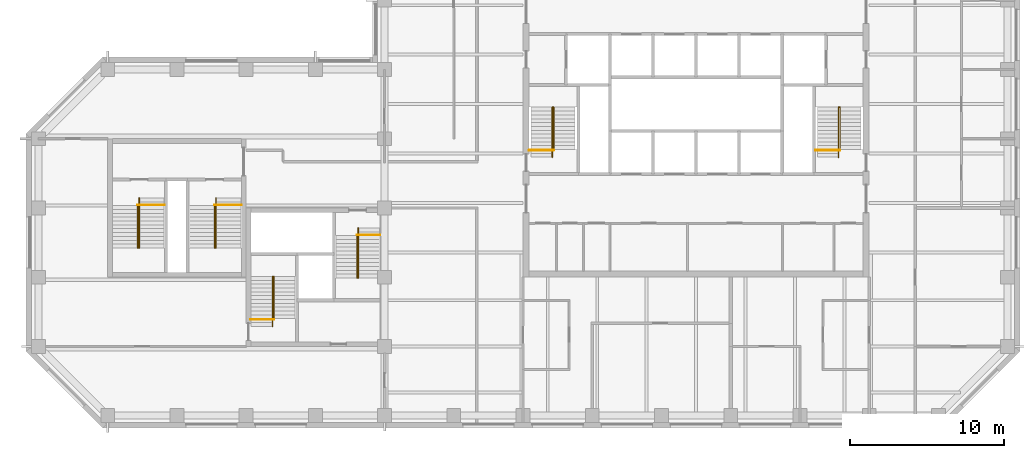
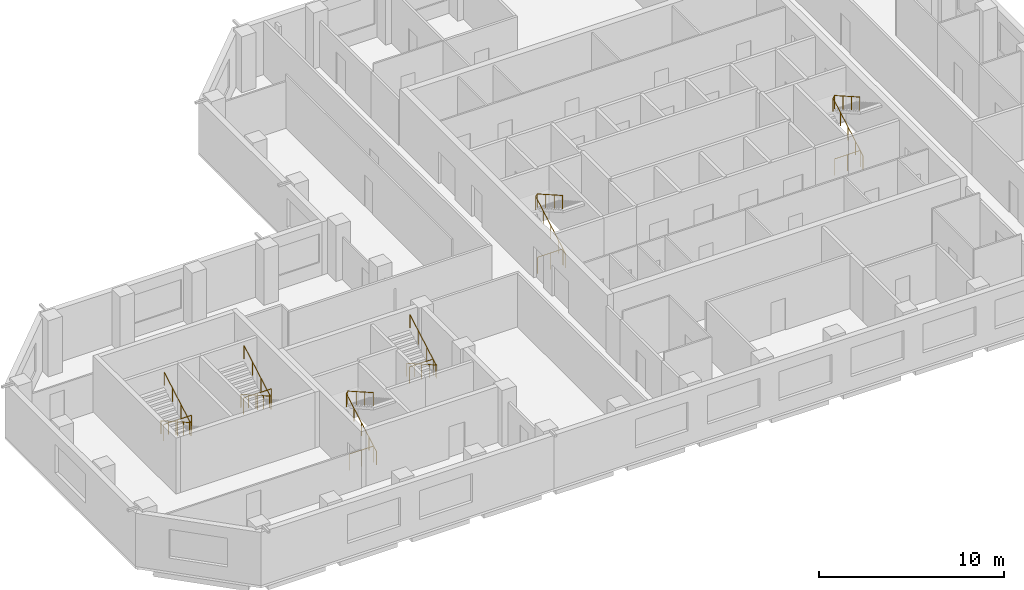
# One storey, part 9 of 9: 12 railings.
"""IFC4 building model written with IfcOpenShell, lengths in metres."""

import ifcopenshell
import ifcopenshell.guid

model = None  # the IFC model being written
_history = None  # IfcOwnerHistory: only IFC2X3 demands one
_inside = {}  # id of a spatial element -> (the spatial element, [elements in it])
_under = {}  # id of a project, library or spatial element -> (it, [spatial elements below it])
_declared = {}  # id of a project -> (the project, [libraries it declares])
_typed = {}  # id of a type object -> (the type object, [elements of that type])
_made_of = {}  # id of a material, layer set ... -> (it, [elements and type objects made of it])


def new_model(schema):
    """Start an empty IFC model of exactly this schema.

    Asked for "IFC4X3", IfcOpenShell would pick the latest addendum, in which some entities
    have other attributes; the version numbers below select the first issue.
    IFC2X3 requires an IfcOwnerHistory on every rooted entity: one is made here for all.
    """
    global model, _history
    if schema == "IFC4X3":
        model = ifcopenshell.file(schema_version=(4, 3, 0, 0))
    else:
        model = ifcopenshell.file(schema=schema)
    _inside.clear()
    _under.clear()
    _declared.clear()
    _typed.clear()
    _made_of.clear()
    _history = None
    if model.schema == "IFC2X3":
        org = make("IfcOrganization", Name="unknown")
        user = make(
            "IfcPersonAndOrganization",
            ThePerson=make("IfcPerson", FamilyName="unknown"),
            TheOrganization=org,
        )
        app = make(
            "IfcApplication",
            ApplicationDeveloper=org,
            Version="unknown",
            ApplicationFullName="unknown",
            ApplicationIdentifier="unknown",
        )
        _history = make(
            "IfcOwnerHistory",
            OwningUser=user,
            OwningApplication=app,
            ChangeAction="ADDED",
            CreationDate=0,
        )
    return model


def make(cls, **values):
    """One entity of the class cls with the attributes given. An attribute that is None is left unset."""
    return model.create_entity(
        cls, **{name: value for name, value in values.items() if value is not None}
    )


def rooted(cls, **values):
    """An entity with a GlobalId (a new one), such as an element, a storey or a relation."""
    return make(cls, GlobalId=ifcopenshell.guid.new(), OwnerHistory=_history, **values)


def si_unit(unit_type, name, prefix=None):
    """IfcSIUnit, for example si_unit("LENGTHUNIT", "METRE", prefix="MILLI")."""
    return make("IfcSIUnit", UnitType=unit_type, Prefix=prefix, Name=name)


def assignment(units):
    """IfcUnitAssignment: the units of a project."""
    return None if units is None else make("IfcUnitAssignment", Units=units)


def point(xyz):
    """IfcCartesianPoint."""
    return None if xyz is None else make("IfcCartesianPoint", Coordinates=xyz)


def direction(xyz):
    """IfcDirection."""
    return None if xyz is None else make("IfcDirection", DirectionRatios=xyz)


def frame(location, z_axis=None, x_axis=None):
    """IfcAxis2Placement3D, a coordinate frame: its origin and axes. An axis left out is left unset."""
    return make(
        "IfcAxis2Placement3D",
        Location=point(location),
        Axis=direction(z_axis),
        RefDirection=direction(x_axis),
    )


def frame_2d(location, x_axis=None):
    """IfcAxis2Placement2D, a coordinate frame in the plane: its origin and x axis."""
    return make(
        "IfcAxis2Placement2D", Location=point(location), RefDirection=direction(x_axis)
    )


def origin():
    """The frame at (0, 0, 0) with its axes left unset."""
    return frame((0.0, 0.0, 0.0))


def origin_2d():
    """The frame at (0, 0) in the plane with its x axis left unset."""
    return frame_2d((0.0, 0.0))


def place(relative_to, where):
    """IfcLocalPlacement: puts the frame where relative to a parent placement (None: the world)."""
    return make(
        "IfcLocalPlacement", PlacementRelTo=relative_to, RelativePlacement=where
    )


def context(
    kind, dimensions, precision=None, world=None, true_north=None, identifier=None
):
    """IfcGeometricRepresentationContext, for example the 3D "Model" context."""
    return make(
        "IfcGeometricRepresentationContext",
        ContextIdentifier=identifier,
        ContextType=kind,
        CoordinateSpaceDimension=dimensions,
        Precision=precision,
        WorldCoordinateSystem=world,
        TrueNorth=true_north,
    )


def subcontext(parent, identifier, kind, view, scale=None):
    """IfcGeometricRepresentationSubContext, for example "Body" below "Model"."""
    return make(
        "IfcGeometricRepresentationSubContext",
        ContextIdentifier=identifier,
        ContextType=kind,
        ParentContext=parent,
        TargetScale=scale,
        TargetView=view,
    )


def project(units=None, contexts=None):
    """IfcProject with its units and contexts."""
    return rooted(
        "IfcProject",
        Name="project",
        RepresentationContexts=contexts,
        UnitsInContext=assignment(units),
    )


def spatial(cls, under=None, at=None, **own):
    """A site, building, storey or space (cls), placed at a placement, below another one or the project."""
    s = rooted(cls, ObjectPlacement=at, **own)
    if under is not None:
        _under.setdefault(under.id(), (under, []))[1].append(s)
    return s


def profile(cls, at=None, kind="AREA", **sizes):
    """A parametric profile (cls). Its sizes go by their IFC names, for example OverallWidth=200.0."""
    return make(cls, ProfileType=kind, Position=at, **sizes)


def circle(**sizes):
    """IfcCircleProfileDef."""
    return profile("IfcCircleProfileDef", **sizes)


def extrude(swept, where, along, depth):
    """IfcExtrudedAreaSolid: the profile swept, set in the frame where, extruded along a direction by depth."""
    return make(
        "IfcExtrudedAreaSolid",
        SweptArea=swept,
        Position=where,
        ExtrudedDirection=direction(along),
        Depth=depth,
    )


def shape(context_of_items, identifier, shape_type, items):
    """IfcShapeRepresentation: the items that make up one representation, for example the "Body"."""
    return make(
        "IfcShapeRepresentation",
        ContextOfItems=context_of_items,
        RepresentationIdentifier=identifier,
        RepresentationType=shape_type,
        Items=items,
    )


def material(Name=None, Category=None):
    """IfcMaterial."""
    return make("IfcMaterial", Name=Name, Category=Category)


def made_of(thing, what):
    """Note that an element or type object is made of a material, layer set ...; save() writes the relation."""
    if what is not None:
        _made_of.setdefault(what.id(), (what, []))[1].append(thing)
    return thing


def type_object(cls, material=None, **own):
    """A type object (cls), such as IfcWallType, which elements share."""
    return made_of(rooted(cls, **own), material)


def element(
    cls,
    number,
    at=None,
    inside=None,
    cuts=None,
    type_object=None,
    material=None,
    context=None,
    identifier="Body",
    shape_type=None,
    held_by="IfcProductDefinitionShape",
    body=None,
    shapes=None,
    **own,
):
    """One element of the class cls, such as IfcWall. Its Tag is "e" and its number.

    at: its placement. inside: the storey or other place that contains it. cuts: it is an
    opening in that element (IfcRelVoidsElement). A single representation is given by context,
    identifier, shape_type and body (its items); several are given by shapes. held_by: the class
    of the entity that holds the representations. save() writes the other relations.
    """
    e = rooted(cls, Tag="e%d" % number, ObjectPlacement=at, **own)
    if body is not None:
        shapes = [shape(context, identifier, shape_type, body)]
    if shapes is not None:
        e.Representation = make(held_by, Representations=shapes)
    if inside is not None:
        _inside.setdefault(inside.id(), (inside, []))[1].append(e)
    if cuts is not None:
        rooted(
            "IfcRelVoidsElement", RelatingBuildingElement=cuts, RelatedOpeningElement=e
        )
    if type_object is not None:
        _typed.setdefault(type_object.id(), (type_object, []))[1].append(e)
    return made_of(e, material)


def aggregate(whole, parts):
    """IfcRelAggregates: a whole, such as a stair, and the parts it consists of."""
    return rooted("IfcRelAggregates", RelatingObject=whole, RelatedObjects=parts)


def save(model, path):
    """Write the relations noted so far, then the file.

    IfcRelAggregates (storeys below a building ...), IfcRelContainedInSpatialStructure (elements
    in a storey), IfcRelDefinesByType, IfcRelAssociatesMaterial and IfcRelDeclares: one each for
    every whole, place, type object, material and project.
    """
    for whole, parts in _under.values():
        aggregate(whole, parts)
    for where, things in _inside.values():
        rooted(
            "IfcRelContainedInSpatialStructure",
            RelatedElements=things,
            RelatingStructure=where,
        )
    for kind, things in _typed.values():
        rooted("IfcRelDefinesByType", RelatedObjects=things, RelatingType=kind)
    for what, things in _made_of.values():
        rooted("IfcRelAssociatesMaterial", RelatedObjects=things, RelatingMaterial=what)
    for by, libraries in _declared.values():
        rooted("IfcRelDeclares", RelatingContext=by, RelatedDefinitions=libraries)
    model.write(path)


model = new_model("IFC4")

# Units and contexts
model_context = context("Model", 3, precision=1e-05, world=origin(), true_north=direction((0.0, 1.0)))
body_context = subcontext(model_context, "Body", "Model", "MODEL_VIEW")
ifc_project = project(units=[si_unit("LENGTHUNIT", "METRE"), si_unit("AREAUNIT", "SQUARE_METRE"), si_unit("VOLUMEUNIT", "CUBIC_METRE"), si_unit("PLANEANGLEUNIT", "RADIAN"), si_unit("MASSUNIT", "GRAM", prefix="KILO")], contexts=[model_context])

# Site, building, storey
site_placement = place(None, origin())
site = spatial("IfcSite", under=ifc_project, at=site_placement, CompositionType="ELEMENT")
building_placement = place(site_placement, origin())
building = spatial("IfcBuilding", under=site, at=building_placement, Name="Quoin Convention Tower", CompositionType="ELEMENT")
storey_placement = place(building_placement, frame((0.0, 0.0, 215.60009765625)))
storey = spatial("IfcBuildingStorey", under=building, at=storey_placement, Name="L56", CompositionType="ELEMENT", Elevation=215.60009765625)

# Railings
ifc_material = material(Name="Stainless steel", Category="steel")
railing_type_1 = type_object("IfcRailingType", Name="Stair handrail 900", PredefinedType="HANDRAIL", material=ifc_material)
railing_1_placement = place(storey_placement, frame((46.905029296875, 57.300048828125, 0.14208984375)))
element("IfcRailing", 1, at=railing_1_placement, inside=storey, type_object=railing_type_1, Name="SD1 handrail 1", PredefinedType="HANDRAIL", context=body_context, shape_type="SweptSolid", body=[
    extrude(circle(Radius=0.02392578125, at=origin_2d()), frame((0.0, 0.0, 0.8759765625), z_axis=(0.0, 0.869053504361, 0.494718108177), x_axis=(-1.0, 0.0, 0.0)), (0.0, 0.0, 1.0), 3.73974609375),
    extrude(circle(Radius=0.02392578125, at=origin_2d()), frame((0.0, 3.25, 2.72607421875), z_axis=(0.53481069233, 0.0, 0.844971906852), x_axis=(0.0, 1.0, 0.0)), (0.0, 0.0, 1.0), 0.16845703125),
    extrude(circle(Radius=0.02392578125, at=origin_2d()), frame((0.090087890625, 3.25, 2.8681640625), z_axis=(0.0, -0.869058607571, 0.494709143443), x_axis=(1.0, 0.0, 0.0)), (0.0, 0.0, 1.0), 3.164306640625),
    extrude(circle(Radius=0.02099609375, at=origin_2d()), origin(), (0.0, 0.0, 1.0), 0.851806640625),
    extrude(circle(Radius=0.02099609375, at=origin_2d()), frame((0.0, 0.8125, 0.46240234375)), (0.0, 0.0, 1.0), 0.851806640625),
    extrude(circle(Radius=0.02099609375, at=origin_2d()), frame((0.0, 1.625, 0.925048828125)), (0.0, 0.0, 1.0), 0.851806640625),
    extrude(circle(Radius=0.02099609375, at=origin_2d()), frame((0.0, 2.4375, 1.3876953125)), (0.0, 0.0, 1.0), 0.851806640625),
    extrude(circle(Radius=0.02099609375, at=origin_2d()), frame((0.0, 3.25, 1.85009765625)), (0.0, 0.0, 1.0), 0.851806640625),
    extrude(circle(Radius=0.02099609375, at=origin_2d()), frame((0.090087890625, 3.25, 1.992431640625)), (0.0, 0.0, 1.0), 0.851806640625),
    extrude(circle(Radius=0.02099609375, at=origin_2d()), frame((0.090087890625, 2.333251953125, 2.51416015625)), (0.0, 0.0, 1.0), 0.851806640625),
    extrude(circle(Radius=0.02099609375, at=origin_2d()), frame((0.090087890625, 1.416748046875, 3.0361328125)), (0.0, 0.0, 1.0), 0.851806640625),
    extrude(circle(Radius=0.02099609375, at=origin_2d()), frame((0.090087890625, 0.5, 3.557861328125)), (0.0, 0.0, 1.0), 0.851806640625),
])
railing_2_placement = place(storey_placement, frame((65.5048828125, 57.300048828125, 0.14208984375)))
element("IfcRailing", 2, at=railing_2_placement, inside=storey, type_object=railing_type_1, Name="SD2 handrail 1", PredefinedType="HANDRAIL", context=body_context, shape_type="SweptSolid", body=[
    extrude(circle(Radius=0.02392578125, at=origin_2d()), frame((0.0, 0.0, 0.8759765625), z_axis=(0.0, 0.869053504361, 0.494718108177), x_axis=(-1.0, 0.0, 0.0)), (0.0, 0.0, 1.0), 3.73974609375),
    extrude(circle(Radius=0.02392578125, at=origin_2d()), frame((0.0, 3.25, 2.72607421875), z_axis=(0.53481069233, 0.0, 0.844971906852), x_axis=(0.0, 1.0, 0.0)), (0.0, 0.0, 1.0), 0.16845703125),
    extrude(circle(Radius=0.02392578125, at=origin_2d()), frame((0.090087890625, 3.25, 2.8681640625), z_axis=(0.0, -0.869058607571, 0.494709143443), x_axis=(1.0, 0.0, 0.0)), (0.0, 0.0, 1.0), 3.164306640625),
    extrude(circle(Radius=0.02099609375, at=origin_2d()), origin(), (0.0, 0.0, 1.0), 0.851806640625),
    extrude(circle(Radius=0.02099609375, at=origin_2d()), frame((0.0, 0.8125, 0.46240234375)), (0.0, 0.0, 1.0), 0.851806640625),
    extrude(circle(Radius=0.02099609375, at=origin_2d()), frame((0.0, 1.625, 0.925048828125)), (0.0, 0.0, 1.0), 0.851806640625),
    extrude(circle(Radius=0.02099609375, at=origin_2d()), frame((0.0, 2.4375, 1.3876953125)), (0.0, 0.0, 1.0), 0.851806640625),
    extrude(circle(Radius=0.02099609375, at=origin_2d()), frame((0.0, 3.25, 1.85009765625)), (0.0, 0.0, 1.0), 0.851806640625),
    extrude(circle(Radius=0.02099609375, at=origin_2d()), frame((0.090087890625, 3.25, 1.992431640625)), (0.0, 0.0, 1.0), 0.851806640625),
    extrude(circle(Radius=0.02099609375, at=origin_2d()), frame((0.090087890625, 2.333251953125, 2.51416015625)), (0.0, 0.0, 1.0), 0.851806640625),
    extrude(circle(Radius=0.02099609375, at=origin_2d()), frame((0.090087890625, 1.416748046875, 3.0361328125)), (0.0, 0.0, 1.0), 0.851806640625),
    extrude(circle(Radius=0.02099609375, at=origin_2d()), frame((0.090087890625, 0.5, 3.557861328125)), (0.0, 0.0, 1.0), 0.851806640625),
])
railing_3_placement = place(storey_placement, frame((28.705078125, 46.300048828125, 0.14208984375)))
element("IfcRailing", 3, at=railing_3_placement, inside=storey, type_object=railing_type_1, Name="SD3 handrail 1", PredefinedType="HANDRAIL", context=body_context, shape_type="SweptSolid", body=[
    extrude(circle(Radius=0.02392578125, at=origin_2d()), frame((0.0, 0.0, 0.8759765625), z_axis=(0.0, 0.869053504361, 0.494718108177), x_axis=(-1.0, 0.0, 0.0)), (0.0, 0.0, 1.0), 3.73974609375),
    extrude(circle(Radius=0.02392578125, at=origin_2d()), frame((0.0, 3.25, 2.72607421875), z_axis=(0.533774684331, 0.0, 0.845626741753), x_axis=(0.0, 1.0, 0.0)), (0.0, 0.0, 1.0), 0.168212890625),
    extrude(circle(Radius=0.02392578125, at=origin_2d()), frame((0.08984375, 3.25, 2.8681640625), z_axis=(0.0, -0.869058607571, 0.494709143443), x_axis=(1.0, 0.0, 0.0)), (0.0, 0.0, 1.0), 3.164306640625),
    extrude(circle(Radius=0.02099609375, at=origin_2d()), origin(), (0.0, 0.0, 1.0), 0.851806640625),
    extrude(circle(Radius=0.02099609375, at=origin_2d()), frame((0.0, 0.8125, 0.46240234375)), (0.0, 0.0, 1.0), 0.851806640625),
    extrude(circle(Radius=0.02099609375, at=origin_2d()), frame((0.0, 1.625, 0.925048828125)), (0.0, 0.0, 1.0), 0.851806640625),
    extrude(circle(Radius=0.02099609375, at=origin_2d()), frame((0.0, 2.4375, 1.3876953125)), (0.0, 0.0, 1.0), 0.851806640625),
    extrude(circle(Radius=0.02099609375, at=origin_2d()), frame((0.0, 3.25, 1.85009765625)), (0.0, 0.0, 1.0), 0.851806640625),
    extrude(circle(Radius=0.02099609375, at=origin_2d()), frame((0.08984375, 3.25, 1.992431640625)), (0.0, 0.0, 1.0), 0.851806640625),
    extrude(circle(Radius=0.02099609375, at=origin_2d()), frame((0.08984375, 2.333251953125, 2.51416015625)), (0.0, 0.0, 1.0), 0.851806640625),
    extrude(circle(Radius=0.02099609375, at=origin_2d()), frame((0.08984375, 1.416748046875, 3.0361328125)), (0.0, 0.0, 1.0), 0.851806640625),
    extrude(circle(Radius=0.02099609375, at=origin_2d()), frame((0.08984375, 0.5, 3.557861328125)), (0.0, 0.0, 1.0), 0.851806640625),
])
railing_4_placement = place(storey_placement, frame((34.294921875, 52.699951171875, 0.14208984375)))
element("IfcRailing", 4, at=railing_4_placement, inside=storey, type_object=railing_type_1, Name="SD4 handrail 1", PredefinedType="HANDRAIL", context=body_context, shape_type="SweptSolid", body=[
    extrude(circle(Radius=0.02392578125, at=origin_2d()), frame((0.0, 0.0, 0.8759765625), z_axis=(0.0, -0.869053504361, 0.494718108177), x_axis=(1.0, 0.0, 0.0)), (0.0, 0.0, 1.0), 3.73974609375),
    extrude(circle(Radius=0.02392578125, at=origin_2d()), frame((0.0, -3.25, 2.72607421875), z_axis=(-0.533774684331, 0.0, 0.845626741753), x_axis=(0.0, -1.0, 0.0)), (0.0, 0.0, 1.0), 0.168212890625),
    extrude(circle(Radius=0.02392578125, at=origin_2d()), frame((-0.08984375, -3.25, 2.8681640625), z_axis=(0.0, 0.869058607571, 0.494709143443), x_axis=(-1.0, 0.0, 0.0)), (0.0, 0.0, 1.0), 3.164306640625),
    extrude(circle(Radius=0.02099609375, at=origin_2d()), origin(), (0.0, 0.0, 1.0), 0.851806640625),
    extrude(circle(Radius=0.02099609375, at=origin_2d()), frame((0.0, -0.8125, 0.46240234375)), (0.0, 0.0, 1.0), 0.851806640625),
    extrude(circle(Radius=0.02099609375, at=origin_2d()), frame((0.0, -1.625, 0.925048828125)), (0.0, 0.0, 1.0), 0.851806640625),
    extrude(circle(Radius=0.02099609375, at=origin_2d()), frame((0.0, -2.4375, 1.3876953125)), (0.0, 0.0, 1.0), 0.851806640625),
    extrude(circle(Radius=0.02099609375, at=origin_2d()), frame((0.0, -3.25, 1.85009765625)), (0.0, 0.0, 1.0), 0.851806640625),
    extrude(circle(Radius=0.02099609375, at=origin_2d()), frame((-0.08984375, -3.25, 1.992431640625)), (0.0, 0.0, 1.0), 0.851806640625),
    extrude(circle(Radius=0.02099609375, at=origin_2d()), frame((-0.08984375, -2.333251953125, 2.51416015625)), (0.0, 0.0, 1.0), 0.851806640625),
    extrude(circle(Radius=0.02099609375, at=origin_2d()), frame((-0.08984375, -1.416748046875, 3.0361328125)), (0.0, 0.0, 1.0), 0.851806640625),
    extrude(circle(Radius=0.02099609375, at=origin_2d()), frame((-0.08984375, -0.5, 3.557861328125)), (0.0, 0.0, 1.0), 0.851806640625),
])
railing_5_placement = place(storey_placement, frame((20.044921875, 54.64990234375, 0.14208984375)))
element("IfcRailing", 5, at=railing_5_placement, inside=storey, type_object=railing_type_1, Name="SD11 handrail 1", PredefinedType="HANDRAIL", context=body_context, shape_type="SweptSolid", body=[
    extrude(circle(Radius=0.02392578125, at=origin_2d()), frame((0.0, 0.0, 0.8759765625), z_axis=(0.0, -0.869053504361, 0.494718108177), x_axis=(1.0, 0.0, 0.0)), (0.0, 0.0, 1.0), 3.73974609375),
    extrude(circle(Radius=0.02392578125, at=origin_2d()), frame((0.0, -3.25, 2.72607421875), z_axis=(-0.533774684331, 0.0, 0.845626741753), x_axis=(0.0, -1.0, 0.0)), (0.0, 0.0, 1.0), 0.168212890625),
    extrude(circle(Radius=0.02392578125, at=origin_2d()), frame((-0.08984375, -3.25, 2.8681640625), z_axis=(0.0, 0.869058607571, 0.494709143443), x_axis=(-1.0, 0.0, 0.0)), (0.0, 0.0, 1.0), 3.164306640625),
    extrude(circle(Radius=0.02099609375, at=origin_2d()), origin(), (0.0, 0.0, 1.0), 0.851806640625),
    extrude(circle(Radius=0.02099609375, at=origin_2d()), frame((0.0, -0.8125, 0.46240234375)), (0.0, 0.0, 1.0), 0.851806640625),
    extrude(circle(Radius=0.02099609375, at=origin_2d()), frame((0.0, -1.625, 0.925048828125)), (0.0, 0.0, 1.0), 0.851806640625),
    extrude(circle(Radius=0.02099609375, at=origin_2d()), frame((0.0, -2.4375, 1.3876953125)), (0.0, 0.0, 1.0), 0.851806640625),
    extrude(circle(Radius=0.02099609375, at=origin_2d()), frame((0.0, -3.25, 1.85009765625)), (0.0, 0.0, 1.0), 0.851806640625),
    extrude(circle(Radius=0.02099609375, at=origin_2d()), frame((-0.08984375, -3.25, 1.992431640625)), (0.0, 0.0, 1.0), 0.851806640625),
    extrude(circle(Radius=0.02099609375, at=origin_2d()), frame((-0.08984375, -2.333251953125, 2.51416015625)), (0.0, 0.0, 1.0), 0.851806640625),
    extrude(circle(Radius=0.02099609375, at=origin_2d()), frame((-0.08984375, -1.416748046875, 3.0361328125)), (0.0, 0.0, 1.0), 0.851806640625),
    extrude(circle(Radius=0.02099609375, at=origin_2d()), frame((-0.08984375, -0.5, 3.557861328125)), (0.0, 0.0, 1.0), 0.851806640625),
])
railing_6_placement = place(storey_placement, frame((25.044921875, 54.64990234375, 0.14208984375)))
element("IfcRailing", 6, at=railing_6_placement, inside=storey, type_object=railing_type_1, Name="SD12 handrail 1", PredefinedType="HANDRAIL", context=body_context, shape_type="SweptSolid", body=[
    extrude(circle(Radius=0.02392578125, at=origin_2d()), frame((0.0, 0.0, 0.8759765625), z_axis=(0.0, -0.869053504361, 0.494718108177), x_axis=(1.0, 0.0, 0.0)), (0.0, 0.0, 1.0), 3.73974609375),
    extrude(circle(Radius=0.02392578125, at=origin_2d()), frame((0.0, -3.25, 2.72607421875), z_axis=(-0.533774684331, 0.0, 0.845626741753), x_axis=(0.0, -1.0, 0.0)), (0.0, 0.0, 1.0), 0.168212890625),
    extrude(circle(Radius=0.02392578125, at=origin_2d()), frame((-0.08984375, -3.25, 2.8681640625), z_axis=(0.0, 0.869058607571, 0.494709143443), x_axis=(-1.0, 0.0, 0.0)), (0.0, 0.0, 1.0), 3.164306640625),
    extrude(circle(Radius=0.02099609375, at=origin_2d()), origin(), (0.0, 0.0, 1.0), 0.851806640625),
    extrude(circle(Radius=0.02099609375, at=origin_2d()), frame((0.0, -0.8125, 0.46240234375)), (0.0, 0.0, 1.0), 0.851806640625),
    extrude(circle(Radius=0.02099609375, at=origin_2d()), frame((0.0, -1.625, 0.925048828125)), (0.0, 0.0, 1.0), 0.851806640625),
    extrude(circle(Radius=0.02099609375, at=origin_2d()), frame((0.0, -2.4375, 1.3876953125)), (0.0, 0.0, 1.0), 0.851806640625),
    extrude(circle(Radius=0.02099609375, at=origin_2d()), frame((0.0, -3.25, 1.85009765625)), (0.0, 0.0, 1.0), 0.851806640625),
    extrude(circle(Radius=0.02099609375, at=origin_2d()), frame((-0.08984375, -3.25, 1.992431640625)), (0.0, 0.0, 1.0), 0.851806640625),
    extrude(circle(Radius=0.02099609375, at=origin_2d()), frame((-0.08984375, -2.333251953125, 2.51416015625)), (0.0, 0.0, 1.0), 0.851806640625),
    extrude(circle(Radius=0.02099609375, at=origin_2d()), frame((-0.08984375, -1.416748046875, 3.0361328125)), (0.0, 0.0, 1.0), 0.851806640625),
    extrude(circle(Radius=0.02099609375, at=origin_2d()), frame((-0.08984375, -0.5, 3.557861328125)), (0.0, 0.0, 1.0), 0.851806640625),
])
railing_type_2 = type_object("IfcRailingType", Name="Stair top guard 1100", PredefinedType="GUARDRAIL", material=ifc_material)
railing_7_placement = place(storey_placement, frame((45.39990234375, 57.75, 0.0)))
element("IfcRailing", 7, at=railing_7_placement, inside=storey, type_object=railing_type_2, Name="SD1 top guard", PredefinedType="GUARDRAIL", context=body_context, shape_type="SweptSolid", body=[
    extrude(circle(Radius=0.02392578125, at=origin_2d()), frame((0.0, 0.0, 1.076171875), z_axis=(1.0, 0.0, 0.0), x_axis=(0.0, 1.0, 0.0)), (0.0, 0.0, 1.0), 1.59521484375),
    extrude(circle(Radius=0.02099609375, at=origin_2d()), origin(), (0.0, 0.0, 1.0), 1.052001953125),
    extrude(circle(Radius=0.02099609375, at=origin_2d()), frame((0.797607421875, 0.0, 0.0)), (0.0, 0.0, 1.0), 1.052001953125),
    extrude(circle(Radius=0.02099609375, at=origin_2d()), frame((1.59521484375, 0.0, 0.0)), (0.0, 0.0, 1.0), 1.052001953125),
])
railing_8_placement = place(storey_placement, frame((64.0, 57.75, 0.0)))
element("IfcRailing", 8, at=railing_8_placement, inside=storey, type_object=railing_type_2, Name="SD2 top guard", PredefinedType="GUARDRAIL", context=body_context, shape_type="SweptSolid", body=[
    extrude(circle(Radius=0.02392578125, at=origin_2d()), frame((0.0, 0.0, 1.076171875), z_axis=(1.0, 0.0, 0.0), x_axis=(0.0, 1.0, 0.0)), (0.0, 0.0, 1.0), 1.594970703125),
    extrude(circle(Radius=0.02099609375, at=origin_2d()), origin(), (0.0, 0.0, 1.0), 1.052001953125),
    extrude(circle(Radius=0.02099609375, at=origin_2d()), frame((0.79736328125, 0.0, 0.0)), (0.0, 0.0, 1.0), 1.052001953125),
    extrude(circle(Radius=0.02099609375, at=origin_2d()), frame((1.594970703125, 0.0, 0.0)), (0.0, 0.0, 1.0), 1.052001953125),
])
railing_9_placement = place(storey_placement, frame((27.300048828125, 46.75, 0.0)))
element("IfcRailing", 9, at=railing_9_placement, inside=storey, type_object=railing_type_2, Name="SD3 top guard", PredefinedType="GUARDRAIL", context=body_context, shape_type="SweptSolid", body=[
    extrude(circle(Radius=0.02392578125, at=origin_2d()), frame((0.0, 0.0, 1.076171875), z_axis=(1.0, 0.0, 0.0), x_axis=(0.0, 1.0, 0.0)), (0.0, 0.0, 1.0), 1.494873046875),
    extrude(circle(Radius=0.02099609375, at=origin_2d()), origin(), (0.0, 0.0, 1.0), 1.052001953125),
    extrude(circle(Radius=0.02099609375, at=origin_2d()), frame((0.74755859375, 0.0, 0.0)), (0.0, 0.0, 1.0), 1.052001953125),
    extrude(circle(Radius=0.02099609375, at=origin_2d()), frame((1.494873046875, 0.0, 0.0)), (0.0, 0.0, 1.0), 1.052001953125),
])
railing_10_placement = place(storey_placement, frame((35.699951171875, 52.25, 0.0)))
element("IfcRailing", 10, at=railing_10_placement, inside=storey, type_object=railing_type_2, Name="SD4 top guard", PredefinedType="GUARDRAIL", context=body_context, shape_type="SweptSolid", body=[
    extrude(circle(Radius=0.02392578125, at=origin_2d()), frame((0.0, 0.0, 1.076171875), z_axis=(-1.0, 0.0, 0.0), x_axis=(0.0, -1.0, 0.0)), (0.0, 0.0, 1.0), 1.494873046875),
    extrude(circle(Radius=0.02099609375, at=origin_2d()), origin(), (0.0, 0.0, 1.0), 1.052001953125),
    extrude(circle(Radius=0.02099609375, at=origin_2d()), frame((-0.74755859375, 0.0, 0.0)), (0.0, 0.0, 1.0), 1.052001953125),
    extrude(circle(Radius=0.02099609375, at=origin_2d()), frame((-1.494873046875, 0.0, 0.0)), (0.0, 0.0, 1.0), 1.052001953125),
])
for number, where, name in (
    (11, (21.699951171875, 54.199951171875, 0.0), "SD11 top guard"),
    (12, (26.699951171875, 54.199951171875, 0.0), "SD12 top guard"),
):
    element("IfcRailing", number, at=place(storey_placement, frame(where)), inside=storey, type_object=railing_type_2, Name=name, PredefinedType="GUARDRAIL", context=body_context, shape_type="SweptSolid", body=[
        extrude(circle(Radius=0.02392578125, at=origin_2d()), frame((0.0, 0.0, 1.076171875), z_axis=(-1.0, 0.0, 0.0), x_axis=(0.0, -1.0, 0.0)), (0.0, 0.0, 1.0), 1.744873046875),
        extrude(circle(Radius=0.02099609375, at=origin_2d()), origin(), (0.0, 0.0, 1.0), 1.052001953125),
        extrude(circle(Radius=0.02099609375, at=origin_2d()), frame((-0.87255859375, 0.0, 0.0)), (0.0, 0.0, 1.0), 1.052001953125),
        extrude(circle(Radius=0.02099609375, at=origin_2d()), frame((-1.744873046875, 0.0, 0.0)), (0.0, 0.0, 1.0), 1.052001953125),
    ])

save(model, "model.ifc")
